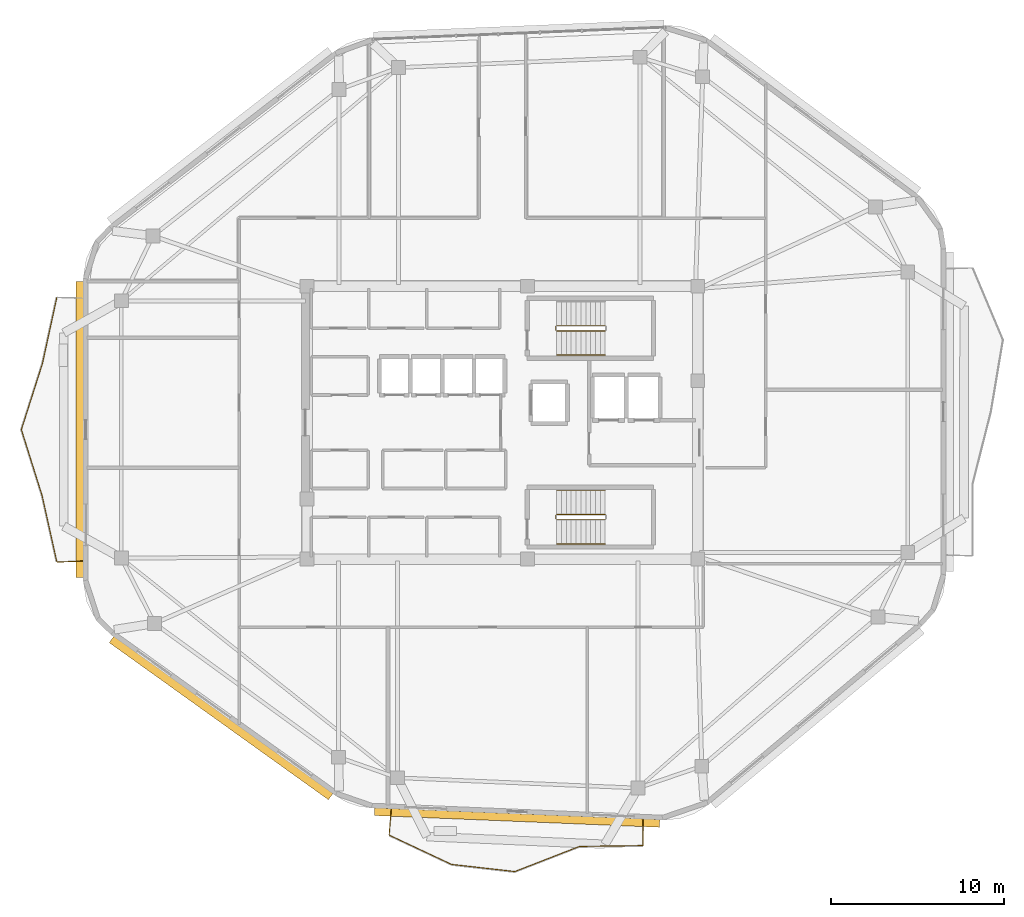
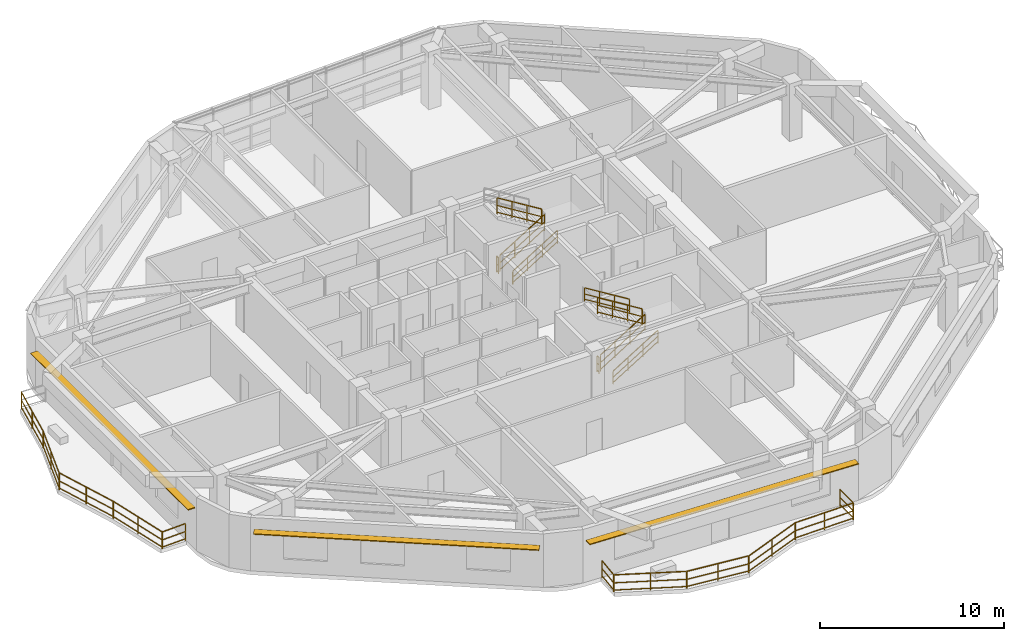
# One storey, part 10 of 12: 20 railings, 3 shading devices.
"""IFC4 building model written with IfcOpenShell, lengths in metres."""

import ifcopenshell
import ifcopenshell.guid

model = None  # the IFC model being written
_history = None  # IfcOwnerHistory: only IFC2X3 demands one
_inside = {}  # id of a spatial element -> (the spatial element, [elements in it])
_under = {}  # id of a project, library or spatial element -> (it, [spatial elements below it])
_declared = {}  # id of a project -> (the project, [libraries it declares])
_typed = {}  # id of a type object -> (the type object, [elements of that type])
_made_of = {}  # id of a material, layer set ... -> (it, [elements and type objects made of it])


def new_model(schema):
    """Start an empty IFC model of exactly this schema.

    Asked for "IFC4X3", IfcOpenShell would pick the latest addendum, in which some entities
    have other attributes; the version numbers below select the first issue.
    IFC2X3 requires an IfcOwnerHistory on every rooted entity: one is made here for all.
    """
    global model, _history
    if schema == "IFC4X3":
        model = ifcopenshell.file(schema_version=(4, 3, 0, 0))
    else:
        model = ifcopenshell.file(schema=schema)
    _inside.clear()
    _under.clear()
    _declared.clear()
    _typed.clear()
    _made_of.clear()
    _history = None
    if model.schema == "IFC2X3":
        org = make("IfcOrganization", Name="unknown")
        user = make(
            "IfcPersonAndOrganization",
            ThePerson=make("IfcPerson", FamilyName="unknown"),
            TheOrganization=org,
        )
        app = make(
            "IfcApplication",
            ApplicationDeveloper=org,
            Version="unknown",
            ApplicationFullName="unknown",
            ApplicationIdentifier="unknown",
        )
        _history = make(
            "IfcOwnerHistory",
            OwningUser=user,
            OwningApplication=app,
            ChangeAction="ADDED",
            CreationDate=0,
        )
    return model


def make(cls, **values):
    """One entity of the class cls with the attributes given. An attribute that is None is left unset."""
    return model.create_entity(
        cls, **{name: value for name, value in values.items() if value is not None}
    )


def rooted(cls, **values):
    """An entity with a GlobalId (a new one), such as an element, a storey or a relation."""
    return make(cls, GlobalId=ifcopenshell.guid.new(), OwnerHistory=_history, **values)


def si_unit(unit_type, name, prefix=None):
    """IfcSIUnit, for example si_unit("LENGTHUNIT", "METRE", prefix="MILLI")."""
    return make("IfcSIUnit", UnitType=unit_type, Prefix=prefix, Name=name)


def assignment(units):
    """IfcUnitAssignment: the units of a project."""
    return None if units is None else make("IfcUnitAssignment", Units=units)


def point(xyz):
    """IfcCartesianPoint."""
    return None if xyz is None else make("IfcCartesianPoint", Coordinates=xyz)


def direction(xyz):
    """IfcDirection."""
    return None if xyz is None else make("IfcDirection", DirectionRatios=xyz)


def frame(location, z_axis=None, x_axis=None):
    """IfcAxis2Placement3D, a coordinate frame: its origin and axes. An axis left out is left unset."""
    return make(
        "IfcAxis2Placement3D",
        Location=point(location),
        Axis=direction(z_axis),
        RefDirection=direction(x_axis),
    )


def frame_2d(location, x_axis=None):
    """IfcAxis2Placement2D, a coordinate frame in the plane: its origin and x axis."""
    return make(
        "IfcAxis2Placement2D", Location=point(location), RefDirection=direction(x_axis)
    )


def origin():
    """The frame at (0, 0, 0) with its axes left unset."""
    return frame((0.0, 0.0, 0.0))


def origin_2d():
    """The frame at (0, 0) in the plane with its x axis left unset."""
    return frame_2d((0.0, 0.0))


def place(relative_to, where):
    """IfcLocalPlacement: puts the frame where relative to a parent placement (None: the world)."""
    return make(
        "IfcLocalPlacement", PlacementRelTo=relative_to, RelativePlacement=where
    )


def context(
    kind, dimensions, precision=None, world=None, true_north=None, identifier=None
):
    """IfcGeometricRepresentationContext, for example the 3D "Model" context."""
    return make(
        "IfcGeometricRepresentationContext",
        ContextIdentifier=identifier,
        ContextType=kind,
        CoordinateSpaceDimension=dimensions,
        Precision=precision,
        WorldCoordinateSystem=world,
        TrueNorth=true_north,
    )


def subcontext(parent, identifier, kind, view, scale=None):
    """IfcGeometricRepresentationSubContext, for example "Body" below "Model"."""
    return make(
        "IfcGeometricRepresentationSubContext",
        ContextIdentifier=identifier,
        ContextType=kind,
        ParentContext=parent,
        TargetScale=scale,
        TargetView=view,
    )


def project(units=None, contexts=None):
    """IfcProject with its units and contexts."""
    return rooted(
        "IfcProject",
        Name="project",
        RepresentationContexts=contexts,
        UnitsInContext=assignment(units),
    )


def spatial(cls, under=None, at=None, **own):
    """A site, building, storey or space (cls), placed at a placement, below another one or the project."""
    s = rooted(cls, ObjectPlacement=at, **own)
    if under is not None:
        _under.setdefault(under.id(), (under, []))[1].append(s)
    return s


def profile(cls, at=None, kind="AREA", **sizes):
    """A parametric profile (cls). Its sizes go by their IFC names, for example OverallWidth=200.0."""
    return make(cls, ProfileType=kind, Position=at, **sizes)


def rectangle(**sizes):
    """IfcRectangleProfileDef."""
    return profile("IfcRectangleProfileDef", **sizes)


def extrude(swept, where, along, depth):
    """IfcExtrudedAreaSolid: the profile swept, set in the frame where, extruded along a direction by depth."""
    return make(
        "IfcExtrudedAreaSolid",
        SweptArea=swept,
        Position=where,
        ExtrudedDirection=direction(along),
        Depth=depth,
    )


def shape(context_of_items, identifier, shape_type, items):
    """IfcShapeRepresentation: the items that make up one representation, for example the "Body"."""
    return make(
        "IfcShapeRepresentation",
        ContextOfItems=context_of_items,
        RepresentationIdentifier=identifier,
        RepresentationType=shape_type,
        Items=items,
    )


def material(Name=None, Category=None):
    """IfcMaterial."""
    return make("IfcMaterial", Name=Name, Category=Category)


def layer(
    of_material, thickness, ventilated=None, Name=None, Category=None, Priority=None
):
    """IfcMaterialLayer: one layer of a wall or slab, of a material (None: an air gap)."""
    return make(
        "IfcMaterialLayer",
        Material=of_material,
        LayerThickness=thickness,
        IsVentilated=ventilated,
        Name=Name,
        Category=Category,
        Priority=Priority,
    )


def layer_set(layers, Name=None):
    """IfcMaterialLayerSet."""
    return make("IfcMaterialLayerSet", MaterialLayers=layers, LayerSetName=Name)


def made_of(thing, what):
    """Note that an element or type object is made of a material, layer set ...; save() writes the relation."""
    if what is not None:
        _made_of.setdefault(what.id(), (what, []))[1].append(thing)
    return thing


def type_object(cls, material=None, **own):
    """A type object (cls), such as IfcWallType, which elements share."""
    return made_of(rooted(cls, **own), material)


def element(
    cls,
    number,
    at=None,
    inside=None,
    cuts=None,
    type_object=None,
    material=None,
    context=None,
    identifier="Body",
    shape_type=None,
    held_by="IfcProductDefinitionShape",
    body=None,
    shapes=None,
    **own,
):
    """One element of the class cls, such as IfcWall. Its Tag is "e" and its number.

    at: its placement. inside: the storey or other place that contains it. cuts: it is an
    opening in that element (IfcRelVoidsElement). A single representation is given by context,
    identifier, shape_type and body (its items); several are given by shapes. held_by: the class
    of the entity that holds the representations. save() writes the other relations.
    """
    e = rooted(cls, Tag="e%d" % number, ObjectPlacement=at, **own)
    if body is not None:
        shapes = [shape(context, identifier, shape_type, body)]
    if shapes is not None:
        e.Representation = make(held_by, Representations=shapes)
    if inside is not None:
        _inside.setdefault(inside.id(), (inside, []))[1].append(e)
    if cuts is not None:
        rooted(
            "IfcRelVoidsElement", RelatingBuildingElement=cuts, RelatedOpeningElement=e
        )
    if type_object is not None:
        _typed.setdefault(type_object.id(), (type_object, []))[1].append(e)
    return made_of(e, material)


def aggregate(whole, parts):
    """IfcRelAggregates: a whole, such as a stair, and the parts it consists of."""
    return rooted("IfcRelAggregates", RelatingObject=whole, RelatedObjects=parts)


def save(model, path):
    """Write the relations noted so far, then the file.

    IfcRelAggregates (storeys below a building ...), IfcRelContainedInSpatialStructure (elements
    in a storey), IfcRelDefinesByType, IfcRelAssociatesMaterial and IfcRelDeclares: one each for
    every whole, place, type object, material and project.
    """
    for whole, parts in _under.values():
        aggregate(whole, parts)
    for where, things in _inside.values():
        rooted(
            "IfcRelContainedInSpatialStructure",
            RelatedElements=things,
            RelatingStructure=where,
        )
    for kind, things in _typed.values():
        rooted("IfcRelDefinesByType", RelatedObjects=things, RelatingType=kind)
    for what, things in _made_of.values():
        rooted("IfcRelAssociatesMaterial", RelatedObjects=things, RelatingMaterial=what)
    for by, libraries in _declared.values():
        rooted("IfcRelDeclares", RelatingContext=by, RelatedDefinitions=libraries)
    model.write(path)


model = new_model("IFC4")

# Units and contexts
model_context = context("Model", 3, precision=1e-05, world=origin(), true_north=direction((0.0, 1.0)))
body_context = subcontext(model_context, "Body", "Model", "MODEL_VIEW")
ifc_project = project(units=[si_unit("LENGTHUNIT", "METRE"), si_unit("AREAUNIT", "SQUARE_METRE"), si_unit("VOLUMEUNIT", "CUBIC_METRE"), si_unit("PLANEANGLEUNIT", "RADIAN"), si_unit("MASSUNIT", "GRAM", prefix="KILO")], contexts=[model_context])

# Site, building, storey
site_placement = place(None, origin())
site = spatial("IfcSite", under=ifc_project, at=site_placement, CompositionType="ELEMENT")
building_placement = place(site_placement, origin())
building = spatial("IfcBuilding", under=site, at=building_placement, Name="Zulverin Broadcast Headquarters", CompositionType="ELEMENT")
storey_placement = place(building_placement, frame((0.0, 0.0, 285.800048828125)))
storey = spatial("IfcBuildingStorey", under=building, at=storey_placement, Name="L73", CompositionType="ELEMENT", Elevation=285.800048828125)

# Railings
ifc_material_1 = material(Name="Brushed stainless steel & laminated glass balustrade", Category="steel")
railing_type_1 = type_object("IfcRailingType", Name="RL-GUARD-1150", PredefinedType="GUARDRAIL", material=ifc_material_1)
railing_1_placement = place(storey_placement, frame((30.580078125, 2.86572265625, 0.0)))
element("IfcRailing", 1, at=railing_1_placement, inside=storey, type_object=railing_type_1, Name="L73 Vertical-Forest Balcony Guardrail BAL_S Segment 01", PredefinedType="GUARDRAIL", context=body_context, shape_type="SweptSolid", body=[
    extrude(rectangle(XDim=0.048095703125, YDim=0.048095703125, at=origin_2d()), frame((0.0, 0.0, 1.1259765625), z_axis=(-0.08159832835, -0.996665296281, 0.0), x_axis=(0.996665296281, -0.08159832835, 0.0)), (0.0, 0.0, 1.0), 1.466064453125),
    extrude(rectangle(XDim=0.0419921875, YDim=0.0419921875, at=origin_2d()), frame((0.0, 0.0, 0.597900390625), z_axis=(-0.08159832835, -0.996665296281, 0.0), x_axis=(0.996665296281, -0.08159832835, 0.0)), (0.0, 0.0, 1.0), 1.466064453125),
    extrude(rectangle(XDim=0.0419921875, YDim=0.0419921875, at=origin_2d()), frame((0.0, 0.0, 0.1201171875), z_axis=(-0.08159832835, -0.996665296281, 0.0), x_axis=(0.996665296281, -0.08159832835, 0.0)), (0.0, 0.0, 1.0), 1.466064453125),
    extrude(rectangle(XDim=0.0419921875, YDim=0.0419921875, at=origin_2d()), origin(), (0.0, 0.0, 1.0), 1.101806640625),
    extrude(rectangle(XDim=0.0419921875, YDim=0.0419921875, at=origin_2d()), frame((-0.11962890625, -1.461181640625, 0.0)), (0.0, 0.0, 1.0), 1.101806640625),
])
railing_2_placement = place(storey_placement, frame((30.472900390625, 1.383056640625, 0.0)))
element("IfcRailing", 2, at=railing_2_placement, inside=storey, type_object=railing_type_1, Name="L73 Vertical-Forest Balcony Guardrail BAL_S Segment 02", PredefinedType="GUARDRAIL", context=body_context, shape_type="SweptSolid", body=[
    extrude(rectangle(XDim=0.048095703125, YDim=0.048095703125, at=origin_2d()), frame((0.0, 0.0, 1.1259765625), z_axis=(0.905312629382, -0.424745857049, 0.0), x_axis=(0.424745857049, 0.905312629382, 0.0)), (0.0, 0.0, 1.0), 3.949462890625),
    extrude(rectangle(XDim=0.0419921875, YDim=0.0419921875, at=origin_2d()), frame((0.0, 0.0, 0.597900390625), z_axis=(0.905312629382, -0.424745857049, 0.0), x_axis=(0.424745857049, 0.905312629382, 0.0)), (0.0, 0.0, 1.0), 3.949462890625),
    extrude(rectangle(XDim=0.0419921875, YDim=0.0419921875, at=origin_2d()), frame((0.0, 0.0, 0.1201171875), z_axis=(0.905312629382, -0.424745857049, 0.0), x_axis=(0.424745857049, 0.905312629382, 0.0)), (0.0, 0.0, 1.0), 3.949462890625),
    extrude(rectangle(XDim=0.0419921875, YDim=0.0419921875, at=origin_2d()), origin(), (0.0, 0.0, 1.0), 1.101806640625),
    extrude(rectangle(XDim=0.0419921875, YDim=0.0419921875, at=origin_2d()), frame((1.78759765625, -0.8388671875, 0.0)), (0.0, 0.0, 1.0), 1.101806640625),
    extrude(rectangle(XDim=0.0419921875, YDim=0.0419921875, at=origin_2d()), frame((3.575439453125, -1.677490234375, 0.0)), (0.0, 0.0, 1.0), 1.101806640625),
])
railing_3_placement = place(storey_placement, frame((34.076904296875, -0.302490234375, 0.0)))
element("IfcRailing", 3, at=railing_3_placement, inside=storey, type_object=railing_type_1, Name="L73 Vertical-Forest Balcony Guardrail BAL_S Segment 03", PredefinedType="GUARDRAIL", context=body_context, shape_type="SweptSolid", body=[
    extrude(rectangle(XDim=0.048095703125, YDim=0.048095703125, at=origin_2d()), frame((0.0, 0.0, 1.1259765625), z_axis=(0.993697909908, -0.11209131922, 0.0), x_axis=(0.11209131922, 0.993697909908, 0.0)), (0.0, 0.0, 1.0), 3.648193359375),
    extrude(rectangle(XDim=0.0419921875, YDim=0.0419921875, at=origin_2d()), frame((0.0, 0.0, 0.597900390625), z_axis=(0.993697909908, -0.11209131922, 0.0), x_axis=(0.11209131922, 0.993697909908, 0.0)), (0.0, 0.0, 1.0), 3.648193359375),
    extrude(rectangle(XDim=0.0419921875, YDim=0.0419921875, at=origin_2d()), frame((0.0, 0.0, 0.1201171875), z_axis=(0.993697909908, -0.11209131922, 0.0), x_axis=(0.11209131922, 0.993697909908, 0.0)), (0.0, 0.0, 1.0), 3.648193359375),
    extrude(rectangle(XDim=0.0419921875, YDim=0.0419921875, at=origin_2d()), origin(), (0.0, 0.0, 1.0), 1.101806640625),
    extrude(rectangle(XDim=0.0419921875, YDim=0.0419921875, at=origin_2d()), frame((1.8125, -0.20458984375, 0.0)), (0.0, 0.0, 1.0), 1.101806640625),
    extrude(rectangle(XDim=0.0419921875, YDim=0.0419921875, at=origin_2d()), frame((3.625244140625, -0.408935546875, 0.0)), (0.0, 0.0, 1.0), 1.101806640625),
])
railing_4_placement = place(storey_placement, frame((37.731201171875, -0.707763671875, 0.0)))
element("IfcRailing", 4, at=railing_4_placement, inside=storey, type_object=railing_type_1, Name="L73 Vertical-Forest Balcony Guardrail BAL_S Segment 04", PredefinedType="GUARDRAIL", context=body_context, shape_type="SweptSolid", body=[
    extrude(rectangle(XDim=0.048095703125, YDim=0.048095703125, at=origin_2d()), frame((0.0, 0.0, 1.1259765625), z_axis=(0.931972385527, 0.362529271391, 0.0), x_axis=(-0.362529271391, 0.931972385527, 0.0)), (0.0, 0.0, 1.0), 3.973876953125),
    extrude(rectangle(XDim=0.0419921875, YDim=0.0419921875, at=origin_2d()), frame((0.0, 0.0, 0.597900390625), z_axis=(0.931972385527, 0.362529271391, 0.0), x_axis=(-0.362529271391, 0.931972385527, 0.0)), (0.0, 0.0, 1.0), 3.973876953125),
    extrude(rectangle(XDim=0.0419921875, YDim=0.0419921875, at=origin_2d()), frame((0.0, 0.0, 0.1201171875), z_axis=(0.931972385527, 0.362529271391, 0.0), x_axis=(-0.362529271391, 0.931972385527, 0.0)), (0.0, 0.0, 1.0), 3.973876953125),
    extrude(rectangle(XDim=0.0419921875, YDim=0.0419921875, at=origin_2d()), origin(), (0.0, 0.0, 1.0), 1.101806640625),
    extrude(rectangle(XDim=0.0419921875, YDim=0.0419921875, at=origin_2d()), frame((1.851806640625, 0.72021484375, 0.0)), (0.0, 0.0, 1.0), 1.101806640625),
    extrude(rectangle(XDim=0.0419921875, YDim=0.0419921875, at=origin_2d()), frame((3.70361328125, 1.440673828125, 0.0)), (0.0, 0.0, 1.0), 1.101806640625),
])
railing_5_placement = place(storey_placement, frame((41.4638671875, 0.73828125, 0.0)))
element("IfcRailing", 5, at=railing_5_placement, inside=storey, type_object=railing_type_1, Name="L73 Vertical-Forest Balcony Guardrail BAL_S Segment 05", PredefinedType="GUARDRAIL", context=body_context, shape_type="SweptSolid", body=[
    extrude(rectangle(XDim=0.048095703125, YDim=0.048095703125, at=origin_2d()), frame((0.0, 0.0, 1.1259765625), z_axis=(0.999912025624, 0.013264275832, 0.0), x_axis=(-0.013264275832, 0.999912025624, 0.0)), (0.0, 0.0, 1.0), 3.644287109375),
    extrude(rectangle(XDim=0.0419921875, YDim=0.0419921875, at=origin_2d()), frame((0.0, 0.0, 0.597900390625), z_axis=(0.999912025624, 0.013264275832, 0.0), x_axis=(-0.013264275832, 0.999912025624, 0.0)), (0.0, 0.0, 1.0), 3.644287109375),
    extrude(rectangle(XDim=0.0419921875, YDim=0.0419921875, at=origin_2d()), frame((0.0, 0.0, 0.1201171875), z_axis=(0.999912025624, 0.013264275832, 0.0), x_axis=(-0.013264275832, 0.999912025624, 0.0)), (0.0, 0.0, 1.0), 3.644287109375),
    extrude(rectangle(XDim=0.0419921875, YDim=0.0419921875, at=origin_2d()), origin(), (0.0, 0.0, 1.0), 1.101806640625),
    extrude(rectangle(XDim=0.0419921875, YDim=0.0419921875, at=origin_2d()), frame((1.822021484375, 0.024169921875, 0.0)), (0.0, 0.0, 1.0), 1.101806640625),
    extrude(rectangle(XDim=0.0419921875, YDim=0.0419921875, at=origin_2d()), frame((3.64404296875, 0.04833984375, 0.0)), (0.0, 0.0, 1.0), 1.101806640625),
])
railing_6_placement = place(storey_placement, frame((45.123046875, 0.8017578125, 0.0)))
element("IfcRailing", 6, at=railing_6_placement, inside=storey, type_object=railing_type_1, Name="L73 Vertical-Forest Balcony Guardrail BAL_S Segment 06", PredefinedType="GUARDRAIL", context=body_context, shape_type="SweptSolid", body=[
    extrude(rectangle(XDim=0.048095703125, YDim=0.048095703125, at=origin_2d()), frame((0.0, 0.0, 1.1259765625), z_axis=(0.000499500437, 0.99999987525, 0.0), x_axis=(-0.99999987525, 0.000499500437, 0.0)), (0.0, 0.0, 1.0), 1.46630859375),
    extrude(rectangle(XDim=0.0419921875, YDim=0.0419921875, at=origin_2d()), frame((0.0, 0.0, 0.597900390625), z_axis=(0.000499500437, 0.99999987525, 0.0), x_axis=(-0.99999987525, 0.000499500437, 0.0)), (0.0, 0.0, 1.0), 1.46630859375),
    extrude(rectangle(XDim=0.0419921875, YDim=0.0419921875, at=origin_2d()), frame((0.0, 0.0, 0.1201171875), z_axis=(0.000499500437, 0.99999987525, 0.0), x_axis=(-0.99999987525, 0.000499500437, 0.0)), (0.0, 0.0, 1.0), 1.46630859375),
    extrude(rectangle(XDim=0.0419921875, YDim=0.0419921875, at=origin_2d()), origin(), (0.0, 0.0, 1.0), 1.101806640625),
    extrude(rectangle(XDim=0.0419921875, YDim=0.0419921875, at=origin_2d()), frame((0.000732421875, 1.46630859375, 0.0)), (0.0, 0.0, 1.0), 1.101806640625),
])
railing_7_placement = place(storey_placement, frame((11.27685546875, 32.433349609375, 0.0)))
element("IfcRailing", 7, at=railing_7_placement, inside=storey, type_object=railing_type_1, Name="L73 Vertical-Forest Balcony Guardrail BAL_W Segment 02", PredefinedType="GUARDRAIL", context=body_context, shape_type="SweptSolid", body=[
    extrude(rectangle(XDim=0.048095703125, YDim=0.048095703125, at=origin_2d()), frame((0.0, 0.0, 1.1259765625), z_axis=(-0.212554923613, -0.977149120886, 0.0), x_axis=(0.977149120886, -0.212554923613, 0.0)), (0.0, 0.0, 1.0), 3.88330078125),
    extrude(rectangle(XDim=0.0419921875, YDim=0.0419921875, at=origin_2d()), frame((0.0, 0.0, 0.597900390625), z_axis=(-0.212554923613, -0.977149120886, 0.0), x_axis=(0.977149120886, -0.212554923613, 0.0)), (0.0, 0.0, 1.0), 3.88330078125),
    extrude(rectangle(XDim=0.0419921875, YDim=0.0419921875, at=origin_2d()), frame((0.0, 0.0, 0.1201171875), z_axis=(-0.212554923613, -0.977149120886, 0.0), x_axis=(0.977149120886, -0.212554923613, 0.0)), (0.0, 0.0, 1.0), 3.88330078125),
    extrude(rectangle(XDim=0.0419921875, YDim=0.0419921875, at=origin_2d()), origin(), (0.0, 0.0, 1.0), 1.101806640625),
    extrude(rectangle(XDim=0.0419921875, YDim=0.0419921875, at=origin_2d()), frame((-0.41259765625, -1.8974609375, 0.0)), (0.0, 0.0, 1.0), 1.101806640625),
    extrude(rectangle(XDim=0.0419921875, YDim=0.0419921875, at=origin_2d()), frame((-0.825439453125, -3.794677734375, 0.0)), (0.0, 0.0, 1.0), 1.101806640625),
])
railing_8_placement = place(storey_placement, frame((10.443603515625, 28.609619140625, 0.0)))
element("IfcRailing", 8, at=railing_8_placement, inside=storey, type_object=railing_type_1, Name="L73 Vertical-Forest Balcony Guardrail BAL_W Segment 03", PredefinedType="GUARDRAIL", context=body_context, shape_type="SweptSolid", body=[
    extrude(rectangle(XDim=0.048095703125, YDim=0.048095703125, at=origin_2d()), frame((0.0, 0.0, 1.1259765625), z_axis=(-0.303512280467, -0.952827526684, 0.0), x_axis=(0.952827526684, -0.303512280467, 0.0)), (0.0, 0.0, 1.0), 3.9833984375),
    extrude(rectangle(XDim=0.0419921875, YDim=0.0419921875, at=origin_2d()), frame((0.0, 0.0, 0.597900390625), z_axis=(-0.303512280467, -0.952827526684, 0.0), x_axis=(0.952827526684, -0.303512280467, 0.0)), (0.0, 0.0, 1.0), 3.9833984375),
    extrude(rectangle(XDim=0.0419921875, YDim=0.0419921875, at=origin_2d()), frame((0.0, 0.0, 0.1201171875), z_axis=(-0.303512280467, -0.952827526684, 0.0), x_axis=(0.952827526684, -0.303512280467, 0.0)), (0.0, 0.0, 1.0), 3.9833984375),
    extrude(rectangle(XDim=0.0419921875, YDim=0.0419921875, at=origin_2d()), origin(), (0.0, 0.0, 1.0), 1.101806640625),
    extrude(rectangle(XDim=0.0419921875, YDim=0.0419921875, at=origin_2d()), frame((-0.6044921875, -1.897705078125, 0.0)), (0.0, 0.0, 1.0), 1.101806640625),
    extrude(rectangle(XDim=0.0419921875, YDim=0.0419921875, at=origin_2d()), frame((-1.208984375, -3.79541015625, 0.0)), (0.0, 0.0, 1.0), 1.101806640625),
])
railing_9_placement = place(storey_placement, frame((9.234619140625, 24.785400390625, 0.0)))
element("IfcRailing", 9, at=railing_9_placement, inside=storey, type_object=railing_type_1, Name="L73 Vertical-Forest Balcony Guardrail BAL_W Segment 04", PredefinedType="GUARDRAIL", context=body_context, shape_type="SweptSolid", body=[
    extrude(rectangle(XDim=0.048095703125, YDim=0.048095703125, at=origin_2d()), frame((0.0, 0.0, 1.1259765625), z_axis=(0.299330213992, -0.954149581036, 0.0), x_axis=(0.954149581036, 0.299330213992, 0.0)), (0.0, 0.0, 1.0), 3.977783203125),
    extrude(rectangle(XDim=0.0419921875, YDim=0.0419921875, at=origin_2d()), frame((0.0, 0.0, 0.597900390625), z_axis=(0.299330213992, -0.954149581036, 0.0), x_axis=(0.954149581036, 0.299330213992, 0.0)), (0.0, 0.0, 1.0), 3.977783203125),
    extrude(rectangle(XDim=0.0419921875, YDim=0.0419921875, at=origin_2d()), frame((0.0, 0.0, 0.1201171875), z_axis=(0.299330213992, -0.954149581036, 0.0), x_axis=(0.954149581036, 0.299330213992, 0.0)), (0.0, 0.0, 1.0), 3.977783203125),
    extrude(rectangle(XDim=0.0419921875, YDim=0.0419921875, at=origin_2d()), origin(), (0.0, 0.0, 1.0), 1.101806640625),
    extrude(rectangle(XDim=0.0419921875, YDim=0.0419921875, at=origin_2d()), frame((0.59521484375, -1.897705078125, 0.0)), (0.0, 0.0, 1.0), 1.101806640625),
    extrude(rectangle(XDim=0.0419921875, YDim=0.0419921875, at=origin_2d()), frame((1.190673828125, -3.79541015625, 0.0)), (0.0, 0.0, 1.0), 1.101806640625),
])
railing_10_placement = place(storey_placement, frame((10.43310546875, 20.961181640625, 0.0)))
element("IfcRailing", 10, at=railing_10_placement, inside=storey, type_object=railing_type_1, Name="L73 Vertical-Forest Balcony Guardrail BAL_W Segment 05", PredefinedType="GUARDRAIL", context=body_context, shape_type="SweptSolid", body=[
    extrude(rectangle(XDim=0.048095703125, YDim=0.048095703125, at=origin_2d()), frame((0.0, 0.0, 1.1259765625), z_axis=(0.216977004099, -0.976176715402, 0.0), x_axis=(0.976176715402, 0.216977004099, 0.0)), (0.0, 0.0, 1.0), 3.887451171875),
    extrude(rectangle(XDim=0.0419921875, YDim=0.0419921875, at=origin_2d()), frame((0.0, 0.0, 0.597900390625), z_axis=(0.216977004099, -0.976176715402, 0.0), x_axis=(0.976176715402, 0.216977004099, 0.0)), (0.0, 0.0, 1.0), 3.887451171875),
    extrude(rectangle(XDim=0.0419921875, YDim=0.0419921875, at=origin_2d()), frame((0.0, 0.0, 0.1201171875), z_axis=(0.216977004099, -0.976176715402, 0.0), x_axis=(0.976176715402, 0.216977004099, 0.0)), (0.0, 0.0, 1.0), 3.887451171875),
    extrude(rectangle(XDim=0.0419921875, YDim=0.0419921875, at=origin_2d()), origin(), (0.0, 0.0, 1.0), 1.101806640625),
    extrude(rectangle(XDim=0.0419921875, YDim=0.0419921875, at=origin_2d()), frame((0.421875, -1.8974609375, 0.0)), (0.0, 0.0, 1.0), 1.101806640625),
    extrude(rectangle(XDim=0.0419921875, YDim=0.0419921875, at=origin_2d()), frame((0.843505859375, -3.794921875, 0.0)), (0.0, 0.0, 1.0), 1.101806640625),
])
railing_11_placement = place(storey_placement, frame((11.294921875, 17.15234375, 0.0)))
element("IfcRailing", 11, at=railing_11_placement, inside=storey, type_object=railing_type_1, Name="L73 Vertical-Forest Balcony Guardrail BAL_W Segment 06", PredefinedType="GUARDRAIL", context=body_context, shape_type="SweptSolid", body=[
    extrude(rectangle(XDim=0.048095703125, YDim=0.048095703125, at=origin_2d()), frame((0.0, 0.0, 1.1259765625), z_axis=(0.999181155166, 0.040460093435, 0.0), x_axis=(-0.040460093435, 0.999181155166, 0.0)), (0.0, 0.0, 1.0), 1.46630859375),
    extrude(rectangle(XDim=0.0419921875, YDim=0.0419921875, at=origin_2d()), frame((0.0, 0.0, 0.597900390625), z_axis=(0.999181155166, 0.040460093435, 0.0), x_axis=(-0.040460093435, 0.999181155166, 0.0)), (0.0, 0.0, 1.0), 1.46630859375),
    extrude(rectangle(XDim=0.0419921875, YDim=0.0419921875, at=origin_2d()), frame((0.0, 0.0, 0.1201171875), z_axis=(0.999181155166, 0.040460093435, 0.0), x_axis=(-0.040460093435, 0.999181155166, 0.0)), (0.0, 0.0, 1.0), 1.46630859375),
    extrude(rectangle(XDim=0.0419921875, YDim=0.0419921875, at=origin_2d()), origin(), (0.0, 0.0, 1.0), 1.101806640625),
    extrude(rectangle(XDim=0.0419921875, YDim=0.0419921875, at=origin_2d()), frame((1.465087890625, 0.059326171875, 0.0)), (0.0, 0.0, 1.0), 1.101806640625),
])
ifc_material_2 = material(Name="Painted galvanized steel tubular guardrail S355JR", Category="steel")
railing_type_2 = type_object("IfcRailingType", Name="RL-ST-GUARD", PredefinedType="GUARDRAIL", material=ifc_material_2)
railing_12_placement = place(storey_placement, frame((40.1298828125, 30.5, 0.172607421875)))
element("IfcRailing", 12, at=railing_12_placement, inside=storey, type_object=railing_type_2, Name="L73 ST-1 stair guard 1", PredefinedType="GUARDRAIL", context=body_context, shape_type="SweptSolid", body=[
    extrude(rectangle(XDim=0.048095703125, YDim=0.048095703125, at=origin_2d()), frame((0.0, 0.0, 1.076171875), z_axis=(0.851089632645, 0.0, 0.525020415988), x_axis=(0.0, 1.0, 0.0)), (0.0, 0.0, 1.0), 3.2900390625),
    extrude(rectangle(XDim=0.0419921875, YDim=0.0419921875, at=origin_2d()), frame((0.0, 0.0, 0.572021484375), z_axis=(0.851089632645, 0.0, 0.525020415988), x_axis=(0.0, 1.0, 0.0)), (0.0, 0.0, 1.0), 3.2900390625),
    extrude(rectangle(XDim=0.0419921875, YDim=0.0419921875, at=origin_2d()), frame((0.0, 0.0, 0.1201171875), z_axis=(0.851089632645, 0.0, 0.525020415988), x_axis=(0.0, 1.0, 0.0)), (0.0, 0.0, 1.0), 3.2900390625),
    extrude(rectangle(XDim=0.0419921875, YDim=0.0419921875, at=origin_2d()), origin(), (0.0, 0.0, 1.0), 1.052001953125),
    extrude(rectangle(XDim=0.0419921875, YDim=0.0419921875, at=origin_2d()), frame((0.933349609375, 0.0, 0.57568359375)), (0.0, 0.0, 1.0), 1.052001953125),
    extrude(rectangle(XDim=0.0419921875, YDim=0.0419921875, at=origin_2d()), frame((1.86669921875, 0.0, 1.151611328125)), (0.0, 0.0, 1.0), 1.052001953125),
    extrude(rectangle(XDim=0.0419921875, YDim=0.0419921875, at=origin_2d()), frame((2.800048828125, 0.0, 1.727294921875)), (0.0, 0.0, 1.0), 1.052001953125),
])
railing_13_placement = place(storey_placement, frame((42.929931640625, 30.800048828125, 2.07275390625)))
element("IfcRailing", 13, at=railing_13_placement, inside=storey, type_object=railing_type_2, Name="L73 ST-1 stair guard 3", PredefinedType="GUARDRAIL", context=body_context, shape_type="SweptSolid", body=[
    extrude(rectangle(XDim=0.048095703125, YDim=0.048095703125, at=origin_2d()), frame((0.0, 0.0, 1.076171875), z_axis=(-0.851089632645, 0.0, 0.525020415988), x_axis=(0.0, -1.0, 0.0)), (0.0, 0.0, 1.0), 3.2900390625),
    extrude(rectangle(XDim=0.0419921875, YDim=0.0419921875, at=origin_2d()), frame((0.0, 0.0, 0.572021484375), z_axis=(-0.851089632645, 0.0, 0.525020415988), x_axis=(0.0, -1.0, 0.0)), (0.0, 0.0, 1.0), 3.2900390625),
    extrude(rectangle(XDim=0.0419921875, YDim=0.0419921875, at=origin_2d()), frame((0.0, 0.0, 0.1201171875), z_axis=(-0.851089632645, 0.0, 0.525020415988), x_axis=(0.0, -1.0, 0.0)), (0.0, 0.0, 1.0), 3.2900390625),
    extrude(rectangle(XDim=0.0419921875, YDim=0.0419921875, at=origin_2d()), origin(), (0.0, 0.0, 1.0), 1.052001953125),
    extrude(rectangle(XDim=0.0419921875, YDim=0.0419921875, at=origin_2d()), frame((-0.933349609375, 0.0, 0.57568359375)), (0.0, 0.0, 1.0), 1.052001953125),
    extrude(rectangle(XDim=0.0419921875, YDim=0.0419921875, at=origin_2d()), frame((-1.86669921875, 0.0, 1.151611328125)), (0.0, 0.0, 1.0), 1.052001953125),
    extrude(rectangle(XDim=0.0419921875, YDim=0.0419921875, at=origin_2d()), frame((-2.800048828125, 0.0, 1.727294921875)), (0.0, 0.0, 1.0), 1.052001953125),
])
railing_14_placement = place(storey_placement, frame((40.080078125, 30.550048828125, 0.0)))
element("IfcRailing", 14, at=railing_14_placement, inside=storey, type_object=railing_type_2, Name="L73 ST-1 stair guard 4", PredefinedType="GUARDRAIL", context=body_context, shape_type="SweptSolid", body=[
    extrude(rectangle(XDim=0.048095703125, YDim=0.048095703125, at=origin_2d()), frame((0.0, 0.0, 1.076171875), z_axis=(0.0, 1.0, 0.0), x_axis=(-1.0, 0.0, 0.0)), (0.0, 0.0, 1.0), 0.199951171875),
    extrude(rectangle(XDim=0.0419921875, YDim=0.0419921875, at=origin_2d()), frame((0.0, 0.0, 0.572021484375), z_axis=(0.0, 1.0, 0.0), x_axis=(-1.0, 0.0, 0.0)), (0.0, 0.0, 1.0), 0.199951171875),
    extrude(rectangle(XDim=0.0419921875, YDim=0.0419921875, at=origin_2d()), frame((0.0, 0.0, 0.1201171875), z_axis=(0.0, 1.0, 0.0), x_axis=(-1.0, 0.0, 0.0)), (0.0, 0.0, 1.0), 0.199951171875),
    extrude(rectangle(XDim=0.0419921875, YDim=0.0419921875, at=origin_2d()), origin(), (0.0, 0.0, 1.0), 1.052001953125),
    extrude(rectangle(XDim=0.0419921875, YDim=0.0419921875, at=origin_2d()), frame((0.0, 0.199951171875, 0.0)), (0.0, 0.0, 1.0), 1.052001953125),
])
railing_15_placement = place(storey_placement, frame((40.1298828125, 19.60009765625, 0.172607421875)))
element("IfcRailing", 15, at=railing_15_placement, inside=storey, type_object=railing_type_2, Name="L73 ST-2 stair guard 1", PredefinedType="GUARDRAIL", context=body_context, shape_type="SweptSolid", body=[
    extrude(rectangle(XDim=0.048095703125, YDim=0.048095703125, at=origin_2d()), frame((0.0, 0.0, 1.076171875), z_axis=(0.851089632645, 0.0, 0.525020415988), x_axis=(0.0, 1.0, 0.0)), (0.0, 0.0, 1.0), 3.2900390625),
    extrude(rectangle(XDim=0.0419921875, YDim=0.0419921875, at=origin_2d()), frame((0.0, 0.0, 0.572021484375), z_axis=(0.851089632645, 0.0, 0.525020415988), x_axis=(0.0, 1.0, 0.0)), (0.0, 0.0, 1.0), 3.2900390625),
    extrude(rectangle(XDim=0.0419921875, YDim=0.0419921875, at=origin_2d()), frame((0.0, 0.0, 0.1201171875), z_axis=(0.851089632645, 0.0, 0.525020415988), x_axis=(0.0, 1.0, 0.0)), (0.0, 0.0, 1.0), 3.2900390625),
    extrude(rectangle(XDim=0.0419921875, YDim=0.0419921875, at=origin_2d()), origin(), (0.0, 0.0, 1.0), 1.052001953125),
    extrude(rectangle(XDim=0.0419921875, YDim=0.0419921875, at=origin_2d()), frame((0.933349609375, 0.0, 0.57568359375)), (0.0, 0.0, 1.0), 1.052001953125),
    extrude(rectangle(XDim=0.0419921875, YDim=0.0419921875, at=origin_2d()), frame((1.86669921875, 0.0, 1.151611328125)), (0.0, 0.0, 1.0), 1.052001953125),
    extrude(rectangle(XDim=0.0419921875, YDim=0.0419921875, at=origin_2d()), frame((2.800048828125, 0.0, 1.727294921875)), (0.0, 0.0, 1.0), 1.052001953125),
])
railing_16_placement = place(storey_placement, frame((42.929931640625, 19.89990234375, 2.07275390625)))
element("IfcRailing", 16, at=railing_16_placement, inside=storey, type_object=railing_type_2, Name="L73 ST-2 stair guard 3", PredefinedType="GUARDRAIL", context=body_context, shape_type="SweptSolid", body=[
    extrude(rectangle(XDim=0.048095703125, YDim=0.048095703125, at=origin_2d()), frame((0.0, 0.0, 1.076171875), z_axis=(-0.851089632645, 0.0, 0.525020415988), x_axis=(0.0, -1.0, 0.0)), (0.0, 0.0, 1.0), 3.2900390625),
    extrude(rectangle(XDim=0.0419921875, YDim=0.0419921875, at=origin_2d()), frame((0.0, 0.0, 0.572021484375), z_axis=(-0.851089632645, 0.0, 0.525020415988), x_axis=(0.0, -1.0, 0.0)), (0.0, 0.0, 1.0), 3.2900390625),
    extrude(rectangle(XDim=0.0419921875, YDim=0.0419921875, at=origin_2d()), frame((0.0, 0.0, 0.1201171875), z_axis=(-0.851089632645, 0.0, 0.525020415988), x_axis=(0.0, -1.0, 0.0)), (0.0, 0.0, 1.0), 3.2900390625),
    extrude(rectangle(XDim=0.0419921875, YDim=0.0419921875, at=origin_2d()), origin(), (0.0, 0.0, 1.0), 1.052001953125),
    extrude(rectangle(XDim=0.0419921875, YDim=0.0419921875, at=origin_2d()), frame((-0.933349609375, 0.0, 0.57568359375)), (0.0, 0.0, 1.0), 1.052001953125),
    extrude(rectangle(XDim=0.0419921875, YDim=0.0419921875, at=origin_2d()), frame((-1.86669921875, 0.0, 1.151611328125)), (0.0, 0.0, 1.0), 1.052001953125),
    extrude(rectangle(XDim=0.0419921875, YDim=0.0419921875, at=origin_2d()), frame((-2.800048828125, 0.0, 1.727294921875)), (0.0, 0.0, 1.0), 1.052001953125),
])
railing_17_placement = place(storey_placement, frame((40.080078125, 19.64990234375, 0.0)))
element("IfcRailing", 17, at=railing_17_placement, inside=storey, type_object=railing_type_2, Name="L73 ST-2 stair guard 4", PredefinedType="GUARDRAIL", context=body_context, shape_type="SweptSolid", body=[
    extrude(rectangle(XDim=0.048095703125, YDim=0.048095703125, at=origin_2d()), frame((0.0, 0.0, 1.076171875), z_axis=(0.0, 1.0, 0.0), x_axis=(-1.0, 0.0, 0.0)), (0.0, 0.0, 1.0), 0.2001953125),
    extrude(rectangle(XDim=0.0419921875, YDim=0.0419921875, at=origin_2d()), frame((0.0, 0.0, 0.572021484375), z_axis=(0.0, 1.0, 0.0), x_axis=(-1.0, 0.0, 0.0)), (0.0, 0.0, 1.0), 0.2001953125),
    extrude(rectangle(XDim=0.0419921875, YDim=0.0419921875, at=origin_2d()), frame((0.0, 0.0, 0.1201171875), z_axis=(0.0, 1.0, 0.0), x_axis=(-1.0, 0.0, 0.0)), (0.0, 0.0, 1.0), 0.2001953125),
    extrude(rectangle(XDim=0.0419921875, YDim=0.0419921875, at=origin_2d()), origin(), (0.0, 0.0, 1.0), 1.052001953125),
    extrude(rectangle(XDim=0.0419921875, YDim=0.0419921875, at=origin_2d()), frame((0.0, 0.2001953125, 0.0)), (0.0, 0.0, 1.0), 1.052001953125),
])
ifc_material_3 = material(Name="Brushed stainless steel 48 mm handrail", Category="steel")
railing_type_3 = type_object("IfcRailingType", Name="RL-ST-HAND", PredefinedType="HANDRAIL", material=ifc_material_3)
for number, where, name in (
    (18, (40.1298828125, 29.10009765625, 0.172607421875), "L73 ST-1 stair handrail 1"),
    (19, (40.1298828125, 18.199951171875, 0.172607421875), "L73 ST-2 stair handrail 1"),
):
    element("IfcRailing", number, at=place(storey_placement, frame(where)), inside=storey, type_object=railing_type_3, Name=name, PredefinedType="HANDRAIL", context=body_context, shape_type="SweptSolid", body=[
        extrude(rectangle(XDim=0.048095703125, YDim=0.048095703125, at=origin_2d()), frame((0.0, 0.0, 0.8759765625), z_axis=(0.851089632645, 0.0, 0.525020415988), x_axis=(0.0, 1.0, 0.0)), (0.0, 0.0, 1.0), 3.2900390625),
        extrude(rectangle(XDim=0.0419921875, YDim=0.0419921875, at=origin_2d()), frame((0.0, 0.0, 0.468017578125), z_axis=(0.851089632645, 0.0, 0.525020415988), x_axis=(0.0, 1.0, 0.0)), (0.0, 0.0, 1.0), 3.2900390625),
        extrude(rectangle(XDim=0.0419921875, YDim=0.0419921875, at=origin_2d()), frame((0.0, 0.0, 0.1201171875), z_axis=(0.851089632645, 0.0, 0.525020415988), x_axis=(0.0, 1.0, 0.0)), (0.0, 0.0, 1.0), 3.2900390625),
        extrude(rectangle(XDim=0.0419921875, YDim=0.0419921875, at=origin_2d()), origin(), (0.0, 0.0, 1.0), 0.851806640625),
        extrude(rectangle(XDim=0.0419921875, YDim=0.0419921875, at=origin_2d()), frame((0.933349609375, 0.0, 0.57568359375)), (0.0, 0.0, 1.0), 0.851806640625),
        extrude(rectangle(XDim=0.0419921875, YDim=0.0419921875, at=origin_2d()), frame((1.86669921875, 0.0, 1.151611328125)), (0.0, 0.0, 1.0), 0.851806640625),
        extrude(rectangle(XDim=0.0419921875, YDim=0.0419921875, at=origin_2d()), frame((2.800048828125, 0.0, 1.727294921875)), (0.0, 0.0, 1.0), 0.851806640625),
    ])
railing_18_placement = place(storey_placement, frame((42.929931640625, 21.300048828125, 2.07275390625)))
element("IfcRailing", 20, at=railing_18_placement, inside=storey, type_object=railing_type_3, Name="L73 ST-2 stair handrail 2", PredefinedType="HANDRAIL", context=body_context, shape_type="SweptSolid", body=[
    extrude(rectangle(XDim=0.048095703125, YDim=0.048095703125, at=origin_2d()), frame((0.0, 0.0, 0.8759765625), z_axis=(-0.851089632645, 0.0, 0.525020415988), x_axis=(0.0, -1.0, 0.0)), (0.0, 0.0, 1.0), 3.2900390625),
    extrude(rectangle(XDim=0.0419921875, YDim=0.0419921875, at=origin_2d()), frame((0.0, 0.0, 0.468017578125), z_axis=(-0.851089632645, 0.0, 0.525020415988), x_axis=(0.0, -1.0, 0.0)), (0.0, 0.0, 1.0), 3.2900390625),
    extrude(rectangle(XDim=0.0419921875, YDim=0.0419921875, at=origin_2d()), frame((0.0, 0.0, 0.1201171875), z_axis=(-0.851089632645, 0.0, 0.525020415988), x_axis=(0.0, -1.0, 0.0)), (0.0, 0.0, 1.0), 3.2900390625),
    extrude(rectangle(XDim=0.0419921875, YDim=0.0419921875, at=origin_2d()), origin(), (0.0, 0.0, 1.0), 0.851806640625),
    extrude(rectangle(XDim=0.0419921875, YDim=0.0419921875, at=origin_2d()), frame((-0.933349609375, 0.0, 0.57568359375)), (0.0, 0.0, 1.0), 0.851806640625),
    extrude(rectangle(XDim=0.0419921875, YDim=0.0419921875, at=origin_2d()), frame((-1.86669921875, 0.0, 1.151611328125)), (0.0, 0.0, 1.0), 0.851806640625),
    extrude(rectangle(XDim=0.0419921875, YDim=0.0419921875, at=origin_2d()), frame((-2.800048828125, 0.0, 1.727294921875)), (0.0, 0.0, 1.0), 0.851806640625),
])

# Shading devices
ifc_material_4 = material(Name="Anodized pale-metal aluminium sunshade", Category="aluminium")
ifc_layer = layer(ifc_material_4, 0.06005859375, Name="Anodized pale-metal aluminium sunshade", Category="aluminium")
ifc_layer_set = layer_set([ifc_layer], Name="Anodized pale-metal aluminium sunshade")
shading_device_type = type_object("IfcShadingDeviceType", Name="SS-01_PALE_METAL_ALUMINIUM_SUNSHADE", PredefinedType="USERDEFINED", material=ifc_layer_set)
shading_device_1_placement = place(storey_placement, frame((37.84521484375, 2.406982421875, 2.7099609375), z_axis=(0.0, 0.0, 1.0), x_axis=(0.99915627139, -0.041070005388, 0.0)))
element("IfcShadingDevice", 21, at=shading_device_1_placement, inside=storey, type_object=shading_device_type, Name="L73 Horizontal Pale-Metal Sunshade Band 1", ObjectType="SUNSHADE", PredefinedType="USERDEFINED", context=body_context, shape_type="SweptSolid", body=[
    extrude(rectangle(XDim=16.47607421875, YDim=0.449951171875, at=origin_2d()), origin(), (0.0, 0.0, 1.0), 0.06005859375),
])
shading_device_2_placement = place(storey_placement, frame((12.60009765625, 24.7998046875, 2.7099609375), z_axis=(0.0, 0.0, 1.0), x_axis=(0.0, -1.0, 0.0)))
element("IfcShadingDevice", 22, at=shading_device_2_placement, inside=storey, type_object=shading_device_type, Name="L73 Horizontal Pale-Metal Sunshade Band 7", ObjectType="SUNSHADE", PredefinedType="USERDEFINED", context=body_context, shape_type="SweptSolid", body=[
    extrude(rectangle(XDim=17.09619140625, YDim=0.449951171875, at=origin_2d()), origin(), (0.0, 0.0, 1.0), 0.06005859375),
])
shading_device_3_placement = place(storey_placement, frame((20.75927734375, 8.149658203125, 2.7099609375), z_axis=(0.0, 0.0, 1.0), x_axis=(0.812809068128, -0.582530187002, 0.0)))
element("IfcShadingDevice", 23, at=shading_device_3_placement, inside=storey, type_object=shading_device_type, Name="L73 Horizontal Pale-Metal Sunshade Band 8", ObjectType="SUNSHADE", PredefinedType="USERDEFINED", context=body_context, shape_type="SweptSolid", body=[
    extrude(rectangle(XDim=15.567626953125, YDim=0.449951171875, at=origin_2d()), origin(), (0.0, 0.0, 1.0), 0.06005859375),
])

save(model, "model.ifc")
